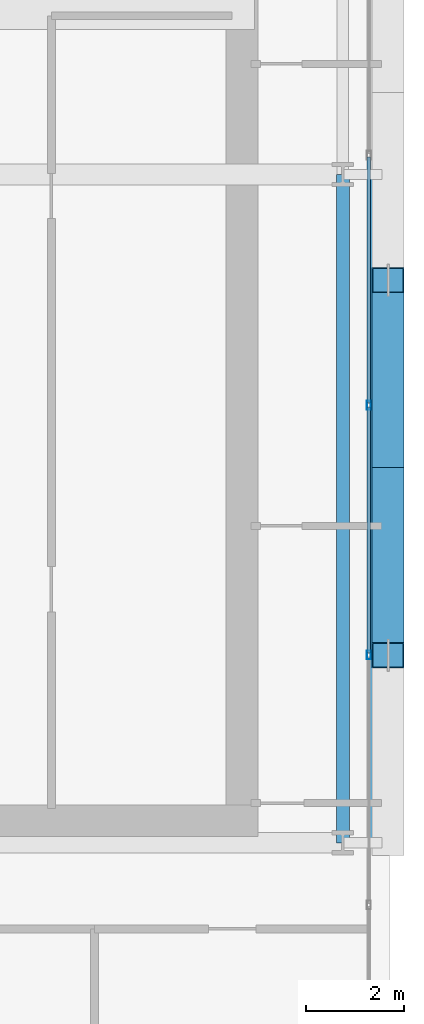
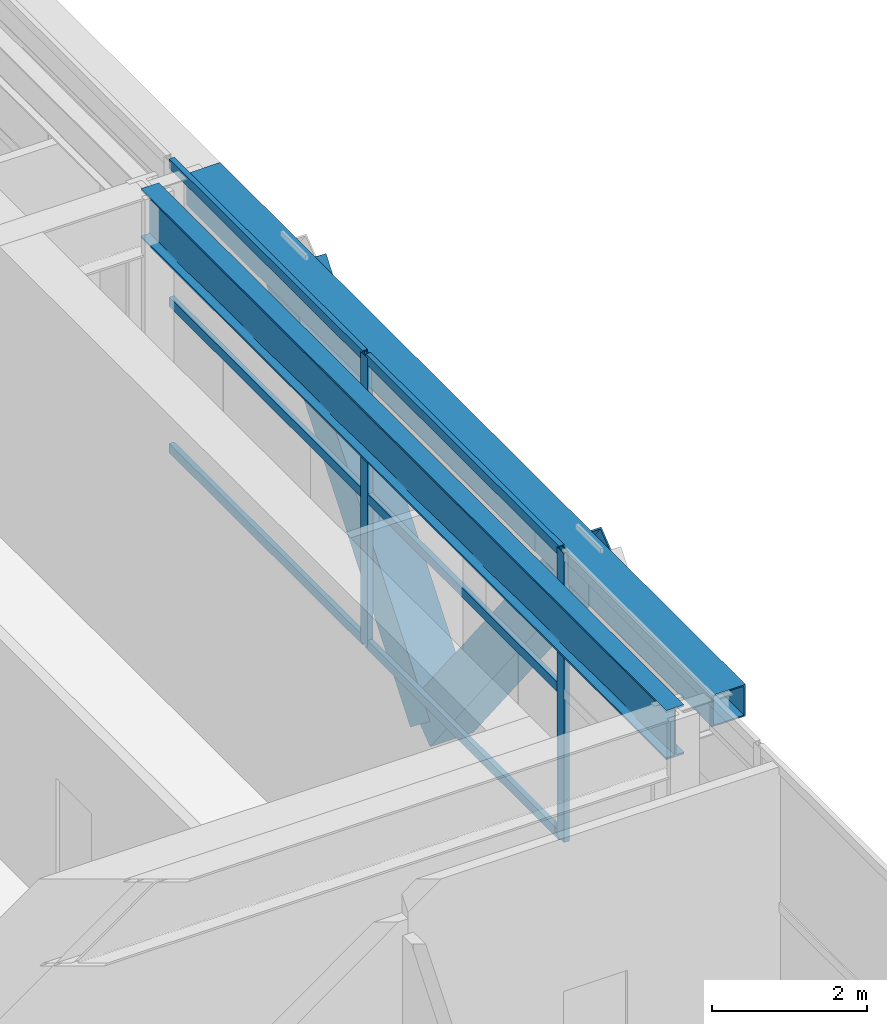
# One storey, part 13 of 35: 10 members, 2 beams, 1 element without a shape of its own.
"""IFC4 building model written with IfcOpenShell, lengths in metres."""

from ifc_helpers import new_model, si_unit, direction, frame, origin, origin_2d, place, context, subcontext, project, spatial, hollow_rectangle, i_section, extrude, source, transform, mapped, material, layer, layer_set, material_profile, profile_set, type_object, element, aggregate, save


model = new_model("IFC4")

# Units and contexts
model_context = context("Model", 3, precision=1e-05, world=origin(), true_north=direction((0.0, 1.0)))
body_context = subcontext(model_context, "Body", "Model", "MODEL_VIEW")
ifc_project = project(units=[si_unit("LENGTHUNIT", "METRE"), si_unit("AREAUNIT", "SQUARE_METRE"), si_unit("VOLUMEUNIT", "CUBIC_METRE"), si_unit("PLANEANGLEUNIT", "RADIAN"), si_unit("MASSUNIT", "GRAM", prefix="KILO")], contexts=[model_context])

# Site, building, storey
site_placement = place(None, origin())
site = spatial("IfcSite", under=ifc_project, at=site_placement, CompositionType="ELEMENT")
building_placement = place(site_placement, origin())
building = spatial("IfcBuilding", under=site, at=building_placement, Name="Ocotamira Hotel", CompositionType="ELEMENT")
storey_placement = place(building_placement, frame((0.0, 0.0, 158.39990234375)))
storey = spatial("IfcBuildingStorey", under=building, at=storey_placement, Name="L39", CompositionType="ELEMENT", Elevation=158.39990234375)

# Beams
ifc_material_1 = material(Name="Steel ASTM A992 Grade 50", Category="steel")
ifc_material_profile_1 = material_profile(ifc_material_1, i_section(OverallWidth=0.26611328125, OverallDepth=0.779052734375, WebThickness=0.0166015625, FlangeThickness=0.030029296875, FilletRadius=0.01806640625, at=origin_2d()), Name="W30X148")
ifc_profile_set_1 = profile_set([ifc_material_profile_1], Name="Steel ASTM A992 Grade 50")
beam_type_1 = type_object("IfcBeamType", Name="BM-GIRD-W30X148", PredefinedType="BEAM", material=ifc_profile_set_1)
shared_shape_1 = source(origin(), body_context, "Body", "SweptSolid", [
    extrude(i_section(OverallWidth=0.26611328125, OverallDepth=0.779052734375, WebThickness=0.0166015625, FlangeThickness=0.030029296875, FilletRadius=0.01806640625, at=origin_2d()), origin(), (0.0, 0.0, 1.0), 13.599853515625),
])
beam_1_placement = place(storey_placement, frame((55.050048828125, 14.550048828125, 4.1806640625), z_axis=(0.0, 1.0, 0.0), x_axis=(-1.0, 0.0, 0.0)))
element("IfcBeam", 1, at=beam_1_placement, inside=storey, type_object=beam_type_1, Name="L39 Beam X55.05 Y14.55-28.15", PredefinedType="BEAM", context=body_context, shape_type="MappedRepresentation", body=[
    mapped(shared_shape_1, transform((0.0, 0.0, 0.0), scale=1.0)),
])
ifc_material_2 = material(Name="Steel ASTM A500 Grade C", Category="steel")
ifc_material_profile_2 = material_profile(ifc_material_2, hollow_rectangle(XDim=0.5, YDim=0.5, WallThickness=0.02001953125, at=origin_2d()), Name="HSS500X500X20")
ifc_profile_set_2 = profile_set([ifc_material_profile_2], Name="Steel ASTM A500 Grade C")
beam_type_2 = type_object("IfcBeamType", Name="BM-SPAN-HSS500", PredefinedType="USERDEFINED", material=ifc_profile_set_2)
shared_shape_2 = source(origin(), body_context, "Body", "SweptSolid", [
    extrude(hollow_rectangle(XDim=0.5, YDim=0.5, WallThickness=0.02001953125, at=origin_2d()), origin(), (0.0, 0.0, 1.0), 13.599853515625),
])
beam_2_placement = place(storey_placement, frame((55.85009765625, 14.550048828125, 4.320068359375), z_axis=(0.0, 1.0, 0.0), x_axis=(-1.0, 0.0, 0.0)))
element("IfcBeam", 2, at=beam_2_placement, inside=storey, type_object=beam_type_2, Name="L39 Edge Spandrel E Y14.55-28.15", ObjectType="SPANDREL", PredefinedType="USERDEFINED", context=body_context, shape_type="MappedRepresentation", body=[
    mapped(shared_shape_2, transform((0.0, 0.0, 0.0), scale=1.0)),
])

# Members
ifc_material_3 = material(Name="Pale-metal coated steel ASTM A913 Grade 65", Category="steel")
ifc_material_profile_3 = material_profile(ifc_material_3, hollow_rectangle(XDim=0.64990234375, YDim=0.64990234375, WallThickness=0.02197265625, at=origin_2d()), Name="BOX650X650X22")
ifc_profile_set_3 = profile_set([ifc_material_profile_3], Name="Pale-metal coated steel ASTM A913 Grade 65")
member_type_1 = type_object("IfcMemberType", Name="MEM-EXO-BOX650", PredefinedType="BRACE", material=ifc_profile_set_3)
shared_shape_3 = source(origin(), body_context, "Body", "SweptSolid", [
    extrude(hollow_rectangle(XDim=0.64990234375, YDim=0.64990234375, WallThickness=0.02197265625, at=origin_2d()), origin(), (0.0, 0.0, 1.0), 6.171630859375),
])
for number, where, z_axis, x_axis, name in (
    (3, (55.969970703125, 22.183349609375, -0.52978515625), (0.0, -0.618427608591, 0.785841773471), (1.0, 0.0, 0.0), "L39 Exoskeleton Diagrid E0.2"),
    (4, (55.969970703125, 22.183349609375, -0.52978515625), (0.0, 0.618427608591, 0.785841773471), (-1.0, 0.0, 0.0), "L39 Exoskeleton Diagrid E1.1"),
):
    element("IfcMember", number, at=place(storey_placement, frame(where, z_axis=z_axis, x_axis=x_axis)), inside=storey, type_object=member_type_1, Name=name, PredefinedType="BRACE", context=body_context, shape_type="MappedRepresentation", body=[
        mapped(shared_shape_3, transform((0.0, 0.0, 0.0), scale=1.0)),
    ])

# Curtain wall, members
ifc_material_4 = material(Name="Anodised pale-metal aluminium and solar glass", Category="aluminium")
ifc_layer = layer(ifc_material_4, 0.239990234375)
ifc_layer_set = layer_set([ifc_layer], Name="Anodised pale-metal aluminium and solar glass")
curtain_wall_type = type_object("IfcCurtainWallType", Name="CW-SYS5-SKY", PredefinedType="NOTDEFINED", material=ifc_layer_set)
curtain_wall_placement = place(storey_placement, origin())
curtain_wall = element("IfcCurtainWall", 5, at=curtain_wall_placement, inside=storey, type_object=curtain_wall_type, Name="L39 Curtain Wall CW-5 CW-L39-E", PredefinedType="NOTDEFINED")
ifc_material_5 = material(Name="Anodised pale-metal aluminium 6063-T6", Category="aluminium")
ifc_material_profile_4 = material_profile(ifc_material_5, hollow_rectangle(XDim=0.074951171875, YDim=0.14990234375, WallThickness=0.006103515625, at=origin_2d()), Name="HSS150X75X6")
ifc_profile_set_4 = profile_set([ifc_material_profile_4], Name="Anodised pale-metal aluminium 6063-T6")
member_type_2 = type_object("IfcMemberType", Name="CWT-150X75", PredefinedType="USERDEFINED", material=ifc_profile_set_4)
shared_shape_4 = source(origin(), body_context, "Body", "SweptSolid", [
    extrude(hollow_rectangle(XDim=0.074951171875, YDim=0.14990234375, WallThickness=0.006103515625, at=origin_2d()), origin(), (0.0, 0.0, 1.0), 5.005859375),
])
member_1_placement = place(storey_placement, frame((55.580078125, 18.411376953125, 0.03759765625), z_axis=(0.0, 1.0, 0.0), x_axis=(-1.0, 0.0, 0.0)))
member_1 = element("IfcMember", 6, at=member_1_placement, type_object=member_type_2, Name="CW-5 transom 3.1", ObjectType="TRANSOM", PredefinedType="USERDEFINED", context=body_context, shape_type="MappedRepresentation", body=[
    mapped(shared_shape_4, transform((0.0, 0.0, 0.0), scale=1.0)),
])
member_2_placement = place(storey_placement, frame((55.580078125, 18.411376953125, 2.35009765625), z_axis=(0.0, 1.0, 0.0), x_axis=(-1.0, 0.0, 0.0)))
member_2 = element("IfcMember", 7, at=member_2_placement, type_object=member_type_2, Name="CW-5 transom 3.2", ObjectType="TRANSOM", PredefinedType="USERDEFINED", context=body_context, shape_type="MappedRepresentation", body=[
    mapped(shared_shape_4, transform((0.0, 0.0, 0.0), scale=1.0)),
])
member_3_placement = place(storey_placement, frame((55.580078125, 18.411376953125, 4.53271484375), z_axis=(0.0, 1.0, 0.0), x_axis=(-1.0, 0.0, 0.0)))
member_3 = element("IfcMember", 8, at=member_3_placement, type_object=member_type_2, Name="CW-5 transom 3.3", ObjectType="TRANSOM", PredefinedType="USERDEFINED", context=body_context, shape_type="MappedRepresentation", body=[
    mapped(shared_shape_4, transform((0.0, 0.0, 0.0), scale=1.0)),
])
member_4_placement = place(storey_placement, frame((55.580078125, 23.4970703125, 0.03759765625), z_axis=(0.0, 1.0, 0.0), x_axis=(-1.0, 0.0, 0.0)))
member_4 = element("IfcMember", 9, at=member_4_placement, type_object=member_type_2, Name="CW-5 transom 4.1", ObjectType="TRANSOM", PredefinedType="USERDEFINED", context=body_context, shape_type="MappedRepresentation", body=[
    mapped(shared_shape_4, transform((0.0, 0.0, 0.0), scale=1.0)),
])
member_5_placement = place(storey_placement, frame((55.580078125, 23.4970703125, 2.35009765625), z_axis=(0.0, 1.0, 0.0), x_axis=(-1.0, 0.0, 0.0)))
member_5 = element("IfcMember", 10, at=member_5_placement, type_object=member_type_2, Name="CW-5 transom 4.2", ObjectType="TRANSOM", PredefinedType="USERDEFINED", context=body_context, shape_type="MappedRepresentation", body=[
    mapped(shared_shape_4, transform((0.0, 0.0, 0.0), scale=1.0)),
])
member_6_placement = place(storey_placement, frame((55.580078125, 23.4970703125, 4.53271484375), z_axis=(0.0, 1.0, 0.0), x_axis=(-1.0, 0.0, 0.0)))
member_6 = element("IfcMember", 11, at=member_6_placement, type_object=member_type_2, Name="CW-5 transom 4.3", ObjectType="TRANSOM", PredefinedType="USERDEFINED", context=body_context, shape_type="MappedRepresentation", body=[
    mapped(shared_shape_4, transform((0.0, 0.0, 0.0), scale=1.0)),
])
ifc_material_profile_5 = material_profile(ifc_material_5, hollow_rectangle(XDim=0.080078125, YDim=0.179931640625, WallThickness=0.006103515625, at=origin_2d()), Name="HSS180X80X6")
ifc_profile_set_5 = profile_set([ifc_material_profile_5], Name="Anodised pale-metal aluminium 6063-T6")
member_type_3 = type_object("IfcMemberType", Name="CWM-180X75", PredefinedType="MULLION", material=ifc_profile_set_5)
shared_shape_5 = source(origin(), body_context, "Body", "SweptSolid", [
    extrude(hollow_rectangle(XDim=0.080078125, YDim=0.179931640625, WallThickness=0.006103515625, at=origin_2d()), origin(), (0.0, 0.0, 1.0), 4.570068359375),
])
member_7_placement = place(storey_placement, frame((55.580078125, 18.371337890625, 0.0), z_axis=(0.0, 0.0, 1.0), x_axis=(-1.0, 0.0, 0.0)))
member_7 = element("IfcMember", 12, at=member_7_placement, type_object=member_type_3, Name="CW-5 mullion 3", PredefinedType="MULLION", context=body_context, shape_type="MappedRepresentation", body=[
    mapped(shared_shape_5, transform((0.0, 0.0, 0.0), scale=1.0)),
])
member_8_placement = place(storey_placement, frame((55.580078125, 23.45703125, 0.0), z_axis=(0.0, 0.0, 1.0), x_axis=(-1.0, 0.0, 0.0)))
member_8 = element("IfcMember", 13, at=member_8_placement, type_object=member_type_3, Name="CW-5 mullion 4", PredefinedType="MULLION", context=body_context, shape_type="MappedRepresentation", body=[
    mapped(shared_shape_5, transform((0.0, 0.0, 0.0), scale=1.0)),
])
aggregate(curtain_wall, [member_7, member_8, member_1, member_2, member_3, member_4, member_5, member_6])

save(model, "model.ifc")
